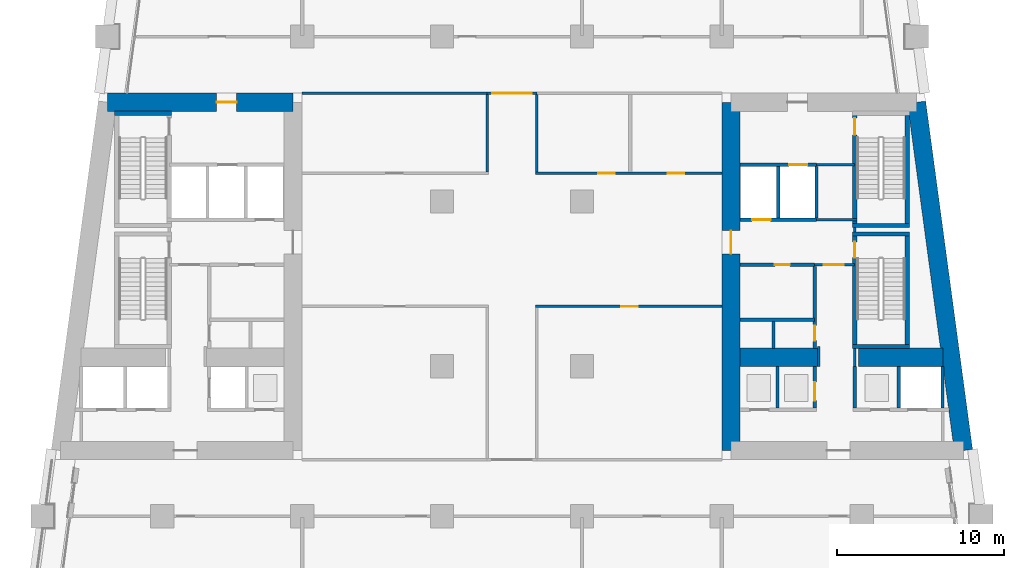
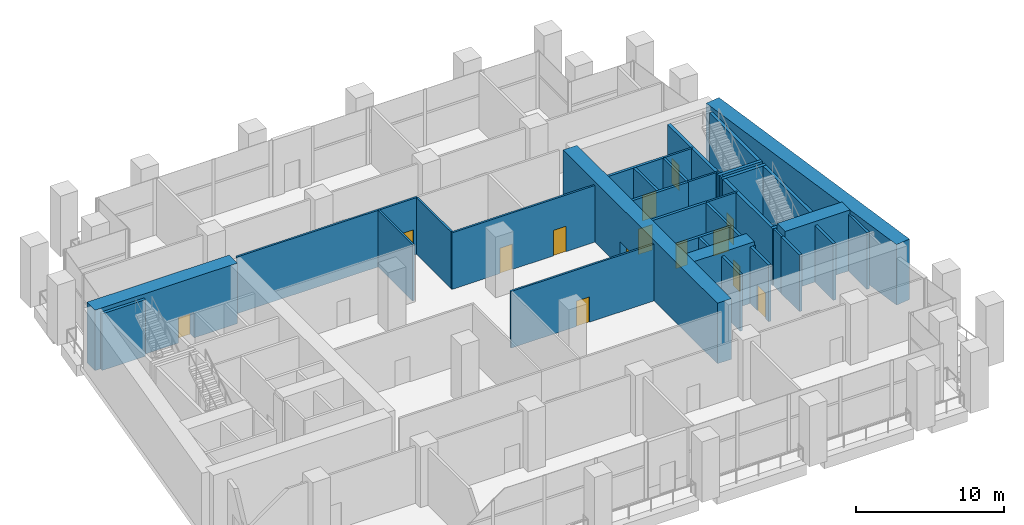
# One storey, part 9 of 15: 38 walls, 14 doors, 14 openings.
"""IFC4 building model written with IfcOpenShell, lengths in metres."""

from ifc_helpers import new_model, si_unit, direction, frame, frame_2d, origin, place, context, subcontext, project, spatial, rectangle, extrude, material, layer, layer_set, type_object, element, fill, save


model = new_model("IFC4")

# Units and contexts
model_context = context("Model", 3, precision=1e-05, world=origin(), true_north=direction((0.0, 1.0)))
body_context = subcontext(model_context, "Body", "Model", "MODEL_VIEW")
ifc_project = project(units=[si_unit("LENGTHUNIT", "METRE"), si_unit("AREAUNIT", "SQUARE_METRE"), si_unit("VOLUMEUNIT", "CUBIC_METRE"), si_unit("PLANEANGLEUNIT", "RADIAN"), si_unit("MASSUNIT", "GRAM", prefix="KILO")], contexts=[model_context])

# Site, building, storey
site_placement = place(None, origin())
site = spatial("IfcSite", under=ifc_project, at=site_placement, CompositionType="ELEMENT")
building_placement = place(site_placement, origin())
building = spatial("IfcBuilding", under=site, at=building_placement, Name="Candeia Pilgrim Tower and Theatre", CompositionType="ELEMENT")
storey_placement = place(building_placement, frame((0.0, 0.0, 86.0)))
storey = spatial("IfcBuildingStorey", under=building, at=storey_placement, Name="L19", CompositionType="ELEMENT", Elevation=86.0)

# Wall, opening, door
ifc_material_1 = material(Name="Concrete C80/95", Category="concrete")
ifc_layer_1 = layer(ifc_material_1, 1.10009765625)
ifc_layer_set_1 = layer_set([ifc_layer_1], Name="Core wall 1100 C80/95")
wall_type_1 = type_object("IfcWallType", Name="Core wall 1100 C80/95", PredefinedType="SHEAR", material=ifc_layer_set_1)
wall_1_placement = place(storey_placement, frame((89.111572265625, 131.85009765625, 0.0), z_axis=(0.0, 0.0, 1.0), x_axis=(1.0, 0.0, 0.0)))
wall_1 = element("IfcWall", 1, at=wall_1_placement, inside=storey, type_object=wall_type_1, Name="Core wall W1", PredefinedType="SHEAR", context=body_context, shape_type="SweptSolid", body=[
    extrude(rectangle(XDim=11.138427734375, YDim=1.10009765625, at=frame_2d((5.5693359375, 0.0))), origin(), (0.0, 0.0, 1.0), 5.0),
])
opening_1_placement = place(wall_1_placement, frame((6.5517578125, 0.0, 0.0)))
opening_1 = element("IfcOpeningElement", 2, at=opening_1_placement, cuts=wall_1, Name="Opening L19-D028", PredefinedType="OPENING", context=body_context, shape_type="SweptSolid", body=[
    extrude(rectangle(XDim=1.199951171875, YDim=2.10009765625, at=frame_2d((0.60009765625, 1.050048828125))), frame((0.0, 0.56005859375, 0.0), z_axis=(0.0, -1.0, 0.0), x_axis=(1.0, 0.0, 0.0)), (0.0, 0.0, 1.0), 1.1201171875),
])
ifc_material_2 = material(Name="Steel fire door set", Category="steel")
door_type_1 = type_object("IfcDoorType", Name="D-1200-FD60", OperationType="NOTDEFINED", PredefinedType="DOOR", material=ifc_material_2)
door_1_placement = place(opening_1_placement, origin())
door_1 = element("IfcDoor", 3, at=door_1_placement, inside=storey, type_object=door_type_1, Name="Door L19-D028", OperationType="SINGLE_SWING_LEFT", OverallHeight=2.10009765625, OverallWidth=1.199951171875, PredefinedType="DOOR", context=body_context, shape_type="SweptSolid", body=[
    extrude(rectangle(XDim=1.199951171875, YDim=2.10009765625, at=frame_2d((0.60009765625, 1.050048828125))), frame((0.0, 0.02490234375, 0.0), z_axis=(0.0, -1.0, 0.0), x_axis=(1.0, 0.0, 0.0)), (0.0, 0.0, 1.0), 0.050048828125),
])
fill(opening_1, door_1)

# Wall
wall_2_placement = place(storey_placement, frame((137.688232421875, 131.85009765625, 0.0), z_axis=(0.0, 0.0, 1.0), x_axis=(0.133411793472, -0.991060691059, 0.0)))
element("IfcWall", 4, at=wall_2_placement, inside=storey, type_object=wall_type_1, Name="Core wall E2", PredefinedType="SHEAR", context=body_context, shape_type="SweptSolid", body=[
    extrude(rectangle(XDim=21.088623046875, YDim=1.10009765625, at=frame_2d((10.54443359375, 0.0))), origin(), (0.0, 0.0, 1.0), 5.0),
])

# Wall, opening, door
wall_3_placement = place(storey_placement, frame((126.550048828125, 110.949951171875, 0.0), z_axis=(0.0, 0.0, 1.0), x_axis=(0.0, 1.0, 0.0)))
wall_3 = element("IfcWall", 5, at=wall_3_placement, inside=storey, type_object=wall_type_1, Name="Core wall E4", PredefinedType="SHEAR", context=body_context, shape_type="SweptSolid", body=[
    extrude(rectangle(XDim=20.900146484375, YDim=1.10009765625, at=frame_2d((10.4501953125, 0.0))), origin(), (0.0, 0.0, 1.0), 5.0),
])
opening_2_placement = place(wall_3_placement, frame((11.800048828125, 0.0, 0.0)))
opening_2 = element("IfcOpeningElement", 6, at=opening_2_placement, cuts=wall_3, Name="Opening L19-D032", PredefinedType="OPENING", context=body_context, shape_type="SweptSolid", body=[
    extrude(rectangle(XDim=1.39990234375, YDim=2.10009765625, at=frame_2d((0.699951171875, 1.050048828125))), frame((0.0, 0.56005859375, 0.0), z_axis=(0.0, -1.0, 0.0), x_axis=(1.0, 0.0, 0.0)), (0.0, 0.0, 1.0), 1.1201171875),
])
door_type_2 = type_object("IfcDoorType", Name="D-1400-FD60", OperationType="NOTDEFINED", PredefinedType="DOOR", material=ifc_material_2)
door_2_placement = place(opening_2_placement, origin())
door_2 = element("IfcDoor", 7, at=door_2_placement, inside=storey, type_object=door_type_2, Name="Door L19-D032", OperationType="SINGLE_SWING_LEFT", OverallHeight=2.10009765625, OverallWidth=1.39990234375, PredefinedType="DOOR", context=body_context, shape_type="SweptSolid", body=[
    extrude(rectangle(XDim=1.39990234375, YDim=2.10009765625, at=frame_2d((0.699951171875, 1.050048828125))), frame((0.0, 0.02490234375, 0.0), z_axis=(0.0, -1.0, 0.0), x_axis=(1.0, 0.0, 0.0)), (0.0, 0.0, 1.0), 0.050048828125),
])
fill(opening_2, door_2)

# Walls
wall_4_placement = place(storey_placement, frame((127.10009765625, 116.550048828125, 0.0), z_axis=(0.0, 0.0, 1.0), x_axis=(1.0, 0.0, 0.0)))
element("IfcWall", 8, at=wall_4_placement, inside=storey, type_object=wall_type_1, Name="Core wall E5", PredefinedType="SHEAR", context=body_context, shape_type="SweptSolid", body=[
    extrude(rectangle(XDim=4.699951171875, YDim=1.10009765625, at=frame_2d((2.35009765625, 0.0))), origin(), (0.0, 0.0, 1.0), 5.0),
])
wall_5_placement = place(storey_placement, frame((134.199951171875, 116.550048828125, 0.0), z_axis=(0.0, 0.0, 1.0), x_axis=(1.0, 0.0, 0.0)))
element("IfcWall", 9, at=wall_5_placement, inside=storey, type_object=wall_type_1, Name="Core wall E6", PredefinedType="SHEAR", context=body_context, shape_type="SweptSolid", body=[
    extrude(rectangle(XDim=5.076904296875, YDim=1.10009765625, at=frame_2d((2.53857421875, 0.0))), origin(), (0.0, 0.0, 1.0), 5.0),
])

# Wall, opening, door
ifc_material_3 = material(Name="Gypsum board partition on steel studs", Category="steel")
ifc_layer_2 = layer(ifc_material_3, 0.14990234375)
ifc_layer_set_2 = layer_set([ifc_layer_2], Name="PW-150 lobby wall")
wall_type_2 = type_object("IfcWallType", Name="PW-150 lobby wall", PredefinedType="PARTITIONING", material=ifc_layer_set_2)
wall_6_placement = place(storey_placement, frame((114.824951171875, 119.60009765625, 0.0), z_axis=(0.0, 0.0, 1.0), x_axis=(1.0, 0.0, 0.0)))
wall_6 = element("IfcWall", 10, at=wall_6_placement, inside=storey, type_object=wall_type_2, Name="Lobby wall L19-014", PredefinedType="PARTITIONING", context=body_context, shape_type="SweptSolid", body=[
    extrude(rectangle(XDim=11.175048828125, YDim=0.14990234375, at=frame_2d((5.58740234375, 0.0))), origin(), (0.0, 0.0, 1.0), 4.679931640625),
])
opening_3_placement = place(wall_6_placement, frame((5.125, 0.0, 0.0)))
opening_3 = element("IfcOpeningElement", 11, at=opening_3_placement, cuts=wall_6, Name="Opening L19-D004", PredefinedType="OPENING", context=body_context, shape_type="SweptSolid", body=[
    extrude(rectangle(XDim=1.0, YDim=2.10009765625, at=frame_2d((0.5, 1.050048828125))), frame((0.0, 0.0849609375, 0.0), z_axis=(0.0, -1.0, 0.0), x_axis=(1.0, 0.0, 0.0)), (0.0, 0.0, 1.0), 0.169921875),
])
door_type_3 = type_object("IfcDoorType", Name="D-1000-FD30S", OperationType="NOTDEFINED", PredefinedType="DOOR", material=ifc_material_2)
door_3_placement = place(opening_3_placement, origin())
door_3 = element("IfcDoor", 12, at=door_3_placement, inside=storey, type_object=door_type_3, Name="Door L19-D004", OperationType="SINGLE_SWING_LEFT", OverallHeight=2.10009765625, OverallWidth=1.0, PredefinedType="DOOR", context=body_context, shape_type="SweptSolid", body=[
    extrude(rectangle(XDim=1.0, YDim=2.10009765625, at=frame_2d((0.5, 1.050048828125))), frame((0.0, 0.02490234375, 0.0), z_axis=(0.0, -1.0, 0.0), x_axis=(1.0, 0.0, 0.0)), (0.0, 0.0, 1.0), 0.050048828125),
])
fill(opening_3, door_3)

wall_7_placement = place(storey_placement, frame((131.572998046875, 122.10009765625, 0.0), z_axis=(0.0, 0.0, 1.0), x_axis=(1.0, 0.0, 0.0)))
wall_7 = element("IfcWall", 13, at=wall_7_placement, inside=storey, type_object=wall_type_2, Name="Lobby wall L19-018", PredefinedType="PARTITIONING", context=body_context, shape_type="SweptSolid", body=[
    extrude(rectangle(XDim=2.39990234375, YDim=0.14990234375, at=frame_2d((1.199951171875, 0.0))), origin(), (0.0, 0.0, 1.0), 4.679931640625),
])
opening_4_placement = place(wall_7_placement, frame((0.550048828125, 0.0, 0.0)))
opening_4 = element("IfcOpeningElement", 14, at=opening_4_placement, cuts=wall_7, Name="Opening L19-D022", PredefinedType="OPENING", context=body_context, shape_type="SweptSolid", body=[
    extrude(rectangle(XDim=1.199951171875, YDim=2.10009765625, at=frame_2d((0.60009765625, 1.050048828125))), frame((0.0, 0.0849609375, 0.0), z_axis=(0.0, -1.0, 0.0), x_axis=(1.0, 0.0, 0.0)), (0.0, 0.0, 1.0), 0.169921875),
])
door_4_placement = place(opening_4_placement, origin())
door_4 = element("IfcDoor", 15, at=door_4_placement, inside=storey, type_object=door_type_1, Name="Door L19-D022", OperationType="SINGLE_SWING_LEFT", OverallHeight=2.10009765625, OverallWidth=1.199951171875, PredefinedType="DOOR", context=body_context, shape_type="SweptSolid", body=[
    extrude(rectangle(XDim=1.199951171875, YDim=2.10009765625, at=frame_2d((0.60009765625, 1.050048828125))), frame((0.0, 0.02490234375, 0.0), z_axis=(0.0, -1.0, 0.0), x_axis=(1.0, 0.0, 0.0)), (0.0, 0.0, 1.0), 0.050048828125),
])
fill(opening_4, door_4)

# Wall
wall_8_placement = place(storey_placement, frame((131.681884765625, 124.800048828125, 0.0), z_axis=(0.0, 0.0, 1.0), x_axis=(1.0, 0.0, 0.0)))
element("IfcWall", 16, at=wall_8_placement, inside=storey, type_object=wall_type_2, Name="Lobby wall L19-025", PredefinedType="PARTITIONING", context=body_context, shape_type="SweptSolid", body=[
    extrude(rectangle(XDim=2.416015625, YDim=0.14990234375, at=frame_2d((1.2080078125, 0.0))), origin(), (0.0, 0.0, 1.0), 4.679931640625),
])

# Wall, openings, doors
wall_9_placement = place(storey_placement, frame((114.824951171875, 127.60009765625, 0.0), z_axis=(0.0, 0.0, 1.0), x_axis=(1.0, 0.0, 0.0)))
wall_9 = element("IfcWall", 17, at=wall_9_placement, inside=storey, type_object=wall_type_2, Name="Lobby wall L19-027", PredefinedType="PARTITIONING", context=body_context, shape_type="SweptSolid", body=[
    extrude(rectangle(XDim=11.175048828125, YDim=0.14990234375, at=frame_2d((5.58740234375, 0.0))), origin(), (0.0, 0.0, 1.0), 4.679931640625),
])
opening_5_placement = place(wall_9_placement, frame((3.739990234375, 0.0, 0.0)))
opening_5 = element("IfcOpeningElement", 18, at=opening_5_placement, cuts=wall_9, Name="Opening L19-D006", PredefinedType="OPENING", context=body_context, shape_type="SweptSolid", body=[
    extrude(rectangle(XDim=1.0, YDim=2.10009765625, at=frame_2d((0.5, 1.050048828125))), frame((0.0, 0.0849609375, 0.0), z_axis=(0.0, -1.0, 0.0), x_axis=(1.0, 0.0, 0.0)), (0.0, 0.0, 1.0), 0.169921875),
])
opening_6_placement = place(wall_9_placement, frame((7.925048828125, 0.0, 0.0)))
opening_6 = element("IfcOpeningElement", 19, at=opening_6_placement, cuts=wall_9, Name="Opening L19-D007", PredefinedType="OPENING", context=body_context, shape_type="SweptSolid", body=[
    extrude(rectangle(XDim=1.0, YDim=2.10009765625, at=frame_2d((0.5, 1.050048828125))), frame((0.0, 0.0849609375, 0.0), z_axis=(0.0, -1.0, 0.0), x_axis=(1.0, 0.0, 0.0)), (0.0, 0.0, 1.0), 0.169921875),
])
door_5_placement = place(opening_5_placement, origin())
door_5 = element("IfcDoor", 20, at=door_5_placement, inside=storey, type_object=door_type_3, Name="Door L19-D006", OperationType="SINGLE_SWING_LEFT", OverallHeight=2.10009765625, OverallWidth=1.0, PredefinedType="DOOR", context=body_context, shape_type="SweptSolid", body=[
    extrude(rectangle(XDim=1.0, YDim=2.10009765625, at=frame_2d((0.5, 1.050048828125))), frame((0.0, 0.02490234375, 0.0), z_axis=(0.0, -1.0, 0.0), x_axis=(1.0, 0.0, 0.0)), (0.0, 0.0, 1.0), 0.050048828125),
])
fill(opening_5, door_5)
door_6_placement = place(opening_6_placement, origin())
door_6 = element("IfcDoor", 21, at=door_6_placement, inside=storey, type_object=door_type_3, Name="Door L19-D007", OperationType="SINGLE_SWING_RIGHT", OverallHeight=2.10009765625, OverallWidth=1.0, PredefinedType="DOOR", context=body_context, shape_type="SweptSolid", body=[
    extrude(rectangle(XDim=1.0, YDim=2.10009765625, at=frame_2d((0.5, 1.050048828125))), frame((0.0, 0.02490234375, 0.0), z_axis=(0.0, -1.0, 0.0), x_axis=(1.0, 0.0, 0.0)), (0.0, 0.0, 1.0), 0.050048828125),
])
fill(opening_6, door_6)

# Wall
wall_10_placement = place(storey_placement, frame((131.681884765625, 128.10009765625, 0.0), z_axis=(0.0, 0.0, 1.0), x_axis=(1.0, 0.0, 0.0)))
element("IfcWall", 22, at=wall_10_placement, inside=storey, type_object=wall_type_2, Name="Lobby wall L19-030", PredefinedType="PARTITIONING", context=body_context, shape_type="SweptSolid", body=[
    extrude(rectangle(XDim=2.291015625, YDim=0.14990234375, at=frame_2d((1.1455078125, 0.0))), origin(), (0.0, 0.0, 1.0), 4.679931640625),
])

# Wall, opening, door
wall_11_placement = place(storey_placement, frame((111.89990234375, 132.39990234375, 0.0), z_axis=(0.0, 0.0, 1.0), x_axis=(1.0, 0.0, 0.0)))
wall_11 = element("IfcWall", 23, at=wall_11_placement, inside=storey, type_object=wall_type_2, Name="Lobby wall L19-033", PredefinedType="PARTITIONING", context=body_context, shape_type="SweptSolid", body=[
    extrude(rectangle(XDim=3.0, YDim=0.14990234375, at=frame_2d((1.5, 0.0))), origin(), (0.0, 0.0, 1.0), 4.679931640625),
])
opening_7_placement = place(wall_11_placement, frame((0.300048828125, 0.0, 0.0)))
opening_7 = element("IfcOpeningElement", 24, at=opening_7_placement, cuts=wall_11, Name="Opening L19-D002", PredefinedType="OPENING", context=body_context, shape_type="SweptSolid", body=[
    extrude(rectangle(XDim=2.39990234375, YDim=2.10009765625, at=frame_2d((1.199951171875, 1.050048828125))), frame((0.0, 0.0849609375, 0.0), z_axis=(0.0, -1.0, 0.0), x_axis=(1.0, 0.0, 0.0)), (0.0, 0.0, 1.0), 0.169921875),
])
door_type_4 = type_object("IfcDoorType", Name="D-2400-FD30S", OperationType="NOTDEFINED", PredefinedType="DOOR", material=ifc_material_2)
door_7_placement = place(opening_7_placement, origin())
door_7 = element("IfcDoor", 25, at=door_7_placement, inside=storey, type_object=door_type_4, Name="Door L19-D002", OperationType="SINGLE_SWING_LEFT", OverallHeight=2.10009765625, OverallWidth=2.39990234375, PredefinedType="DOOR", context=body_context, shape_type="SweptSolid", body=[
    extrude(rectangle(XDim=2.39990234375, YDim=2.10009765625, at=frame_2d((1.199951171875, 1.050048828125))), frame((0.0, 0.02490234375, 0.0), z_axis=(0.0, -1.0, 0.0), x_axis=(1.0, 0.0, 0.0)), (0.0, 0.0, 1.0), 0.050048828125),
])
fill(opening_7, door_7)

# Walls
for number, where, z_axis, x_axis, name in (
    (26, (111.89990234375, 127.675048828125, 0.0), (0.0, 0.0, 1.0), (0.0, 1.0, 0.0), "Lobby wall L19-057"),
    (27, (114.89990234375, 127.675048828125, 0.0), (0.0, 0.0, 1.0), (0.0, 1.0, 0.0), "Lobby wall L19-059"),
):
    element("IfcWall", number, at=place(storey_placement, frame(where, z_axis=z_axis, x_axis=x_axis)), inside=storey, type_object=wall_type_2, Name=name, PredefinedType="PARTITIONING", context=body_context, shape_type="SweptSolid", body=[
        extrude(rectangle(XDim=4.64990234375, YDim=0.14990234375, at=frame_2d((2.324951171875, 0.0))), origin(), (0.0, 0.0, 1.0), 4.679931640625),
    ])
wall_12_placement = place(storey_placement, frame((131.800048828125, 116.0, 0.0), z_axis=(0.0, 0.0, 1.0), x_axis=(0.0, 1.0, 0.0)))
element("IfcWall", 28, at=wall_12_placement, inside=storey, type_object=wall_type_2, Name="Lobby wall L19-071", PredefinedType="PARTITIONING", context=body_context, shape_type="SweptSolid", body=[
    extrude(rectangle(XDim=1.199951171875, YDim=0.14990234375, at=frame_2d((0.60009765625, 0.0))), origin(), (0.0, 0.0, 1.0), 4.679931640625),
])
wall_13_placement = place(storey_placement, frame((133.972900390625, 116.0, 0.0), z_axis=(0.0, 0.0, 1.0), x_axis=(0.0, 1.0, 0.0)))
element("IfcWall", 29, at=wall_13_placement, inside=storey, type_object=wall_type_2, Name="Lobby wall L19-073", PredefinedType="PARTITIONING", context=body_context, shape_type="SweptSolid", body=[
    extrude(rectangle(XDim=1.070068359375, YDim=0.14990234375, at=frame_2d((0.53515625, 0.0))), origin(), (0.0, 0.0, 1.0), 4.679931640625),
])
wall_14_placement = place(storey_placement, frame((133.972900390625, 124.074951171875, 0.0), z_axis=(0.0, 0.0, 1.0), x_axis=(0.0, 1.0, 0.0)))
element("IfcWall", 30, at=wall_14_placement, inside=storey, type_object=wall_type_2, Name="Lobby wall L19-074", PredefinedType="PARTITIONING", context=body_context, shape_type="SweptSolid", body=[
    extrude(rectangle(XDim=0.25, YDim=0.14990234375, at=frame_2d((0.125, 0.0))), origin(), (0.0, 0.0, 1.0), 4.679931640625),
])
ifc_layer_3 = layer(ifc_material_3, 0.14990234375)
ifc_layer_set_3 = layer_set([ifc_layer_3], Name="PW-150 unit wall")
wall_type_3 = type_object("IfcWallType", Name="PW-150 unit wall", PredefinedType="PARTITIONING", material=ifc_layer_set_3)
wall_15_placement = place(storey_placement, frame((100.800048828125, 132.39990234375, 0.0), z_axis=(0.0, 0.0, 1.0), x_axis=(1.0, 0.0, 0.0)))
element("IfcWall", 31, at=wall_15_placement, inside=storey, type_object=wall_type_3, Name="Unit wall L19-034", PredefinedType="PARTITIONING", context=body_context, shape_type="SweptSolid", body=[
    extrude(rectangle(XDim=11.099853515625, YDim=0.14990234375, at=frame_2d((5.5498046875, 0.0))), origin(), (0.0, 0.0, 1.0), 4.679931640625),
])
ifc_material_4 = material(Name="Concrete C40/50", Category="concrete")
ifc_layer_4 = layer(ifc_material_4, 0.199951171875)
ifc_layer_set_4 = layer_set([ifc_layer_4], Name="SW-200 shaft wall")
wall_type_4 = type_object("IfcWallType", Name="SW-200 shaft wall", PredefinedType="PARTITIONING", material=ifc_layer_set_4)
wall_16_placement = place(storey_placement, frame((127.10009765625, 118.800048828125, 0.0), z_axis=(0.0, 0.0, 1.0), x_axis=(1.0, 0.0, 0.0)))
element("IfcWall", 32, at=wall_16_placement, inside=storey, type_object=wall_type_4, Name="Shaft wall L19-012", PredefinedType="PARTITIONING", context=body_context, shape_type="SweptSolid", body=[
    extrude(rectangle(XDim=4.472900390625, YDim=0.199951171875, at=frame_2d((2.236328125, 0.0))), origin(), (0.0, 0.0, 1.0), 4.679931640625),
])

# Wall, opening, door
wall_17_placement = place(storey_placement, frame((127.10009765625, 122.10009765625, 0.0), z_axis=(0.0, 0.0, 1.0), x_axis=(1.0, 0.0, 0.0)))
wall_17 = element("IfcWall", 33, at=wall_17_placement, inside=storey, type_object=wall_type_4, Name="Shaft wall L19-016", PredefinedType="PARTITIONING", context=body_context, shape_type="SweptSolid", body=[
    extrude(rectangle(XDim=4.472900390625, YDim=0.199951171875, at=frame_2d((2.236328125, 0.0))), origin(), (0.0, 0.0, 1.0), 4.679931640625),
])
opening_8_placement = place(wall_17_placement, frame((2.073974609375, 0.0, 0.0)))
opening_8 = element("IfcOpeningElement", 34, at=opening_8_placement, cuts=wall_17, Name="Opening L19-D023", PredefinedType="OPENING", context=body_context, shape_type="SweptSolid", body=[
    extrude(rectangle(XDim=0.89990234375, YDim=2.10009765625, at=frame_2d((0.449951171875, 1.050048828125))), frame((0.0, 0.10986328125, 0.0), z_axis=(0.0, -1.0, 0.0), x_axis=(1.0, 0.0, 0.0)), (0.0, 0.0, 1.0), 0.219970703125),
])
door_type_5 = type_object("IfcDoorType", Name="D-900-FD60", OperationType="NOTDEFINED", PredefinedType="DOOR", material=ifc_material_2)
door_8_placement = place(opening_8_placement, origin())
door_8 = element("IfcDoor", 35, at=door_8_placement, inside=storey, type_object=door_type_5, Name="Door L19-D023", OperationType="SINGLE_SWING_RIGHT", OverallHeight=2.10009765625, OverallWidth=0.89990234375, PredefinedType="DOOR", context=body_context, shape_type="SweptSolid", body=[
    extrude(rectangle(XDim=0.89990234375, YDim=2.10009765625, at=frame_2d((0.449951171875, 1.050048828125))), frame((0.0, 0.02490234375, 0.0), z_axis=(0.0, -1.0, 0.0), x_axis=(1.0, 0.0, 0.0)), (0.0, 0.0, 1.0), 0.050048828125),
])
fill(opening_8, door_8)

wall_18_placement = place(storey_placement, frame((127.10009765625, 124.800048828125, 0.0), z_axis=(0.0, 0.0, 1.0), x_axis=(1.0, 0.0, 0.0)))
wall_18 = element("IfcWall", 36, at=wall_18_placement, inside=storey, type_object=wall_type_4, Name="Shaft wall L19-024", PredefinedType="PARTITIONING", context=body_context, shape_type="SweptSolid", body=[
    extrude(rectangle(XDim=4.581787109375, YDim=0.199951171875, at=frame_2d((2.291015625, 0.0))), origin(), (0.0, 0.0, 1.0), 4.679931640625),
])
opening_9_placement = place(wall_18_placement, frame((0.718017578125, 0.0, 0.0)))
opening_9 = element("IfcOpeningElement", 37, at=opening_9_placement, cuts=wall_18, Name="Opening L19-LD08", PredefinedType="OPENING", context=body_context, shape_type="SweptSolid", body=[
    extrude(rectangle(XDim=1.10009765625, YDim=2.10009765625, at=frame_2d((0.550048828125, 1.050048828125))), frame((0.0, 0.10986328125, 0.0), z_axis=(0.0, -1.0, 0.0), x_axis=(1.0, 0.0, 0.0)), (0.0, 0.0, 1.0), 0.219970703125),
])
ifc_material_5 = material(Name="Glazed aluminium landing door", Category="aluminium")
door_type_6 = type_object("IfcDoorType", Name="LD-1100-EI120", OperationType="SLIDING_TO_LEFT", PredefinedType="DOOR", material=ifc_material_5)
door_9_placement = place(opening_9_placement, origin())
door_9 = element("IfcDoor", 38, at=door_9_placement, inside=storey, type_object=door_type_6, Name="Landing door 08 L19", OperationType="SLIDING_TO_LEFT", OverallHeight=2.10009765625, OverallWidth=1.10009765625, PredefinedType="DOOR", context=body_context, shape_type="SweptSolid", body=[
    extrude(rectangle(XDim=1.10009765625, YDim=2.10009765625, at=frame_2d((0.550048828125, 1.050048828125))), frame((0.0, 0.02490234375, 0.0), z_axis=(0.0, -1.0, 0.0), x_axis=(1.0, 0.0, 0.0)), (0.0, 0.0, 1.0), 0.050048828125),
])
fill(opening_9, door_9)

wall_19_placement = place(storey_placement, frame((127.10009765625, 128.10009765625, 0.0), z_axis=(0.0, 0.0, 1.0), x_axis=(1.0, 0.0, 0.0)))
wall_19 = element("IfcWall", 39, at=wall_19_placement, inside=storey, type_object=wall_type_4, Name="Shaft wall L19-029", PredefinedType="PARTITIONING", context=body_context, shape_type="SweptSolid", body=[
    extrude(rectangle(XDim=4.581787109375, YDim=0.199951171875, at=frame_2d((2.291015625, 0.0))), origin(), (0.0, 0.0, 1.0), 4.679931640625),
])
opening_10_placement = place(wall_19_placement, frame((2.93603515625, 0.0, 0.0)))
opening_10 = element("IfcOpeningElement", 40, at=opening_10_placement, cuts=wall_19, Name="Opening L19-LD07", PredefinedType="OPENING", context=body_context, shape_type="SweptSolid", body=[
    extrude(rectangle(XDim=1.10009765625, YDim=2.10009765625, at=frame_2d((0.550048828125, 1.050048828125))), frame((0.0, 0.10986328125, 0.0), z_axis=(0.0, -1.0, 0.0), x_axis=(1.0, 0.0, 0.0)), (0.0, 0.0, 1.0), 0.219970703125),
])
door_10_placement = place(opening_10_placement, origin())
door_10 = element("IfcDoor", 41, at=door_10_placement, inside=storey, type_object=door_type_6, Name="Landing door 07 L19", OperationType="SLIDING_TO_LEFT", OverallHeight=2.10009765625, OverallWidth=1.10009765625, PredefinedType="DOOR", context=body_context, shape_type="SweptSolid", body=[
    extrude(rectangle(XDim=1.10009765625, YDim=2.10009765625, at=frame_2d((0.550048828125, 1.050048828125))), frame((0.0, 0.02490234375, 0.0), z_axis=(0.0, -1.0, 0.0), x_axis=(1.0, 0.0, 0.0)), (0.0, 0.0, 1.0), 0.050048828125),
])
fill(opening_10, door_10)

# Walls
wall_20_placement = place(storey_placement, frame((129.10009765625, 117.070068359375, 0.0), z_axis=(0.0, 0.0, 1.0), x_axis=(0.0, 1.0, 0.0)))
element("IfcWall", 42, at=wall_20_placement, inside=storey, type_object=wall_type_4, Name="Shaft wall L19-065", PredefinedType="PARTITIONING", context=body_context, shape_type="SweptSolid", body=[
    extrude(rectangle(XDim=1.6298828125, YDim=0.199951171875, at=frame_2d((0.81494140625, 0.0))), origin(), (0.0, 0.0, 1.0), 4.679931640625),
])
wall_21_placement = place(storey_placement, frame((129.33642578125, 113.5, 0.0), z_axis=(0.0, 0.0, 1.0), x_axis=(0.0, 1.0, 0.0)))
element("IfcWall", 43, at=wall_21_placement, inside=storey, type_object=wall_type_4, Name="Shaft wall L19-066", PredefinedType="PARTITIONING", context=body_context, shape_type="SweptSolid", body=[
    extrude(rectangle(XDim=2.5, YDim=0.199951171875, at=frame_2d((1.25, 0.0))), origin(), (0.0, 0.0, 1.0), 4.679931640625),
])
wall_22_placement = place(storey_placement, frame((129.39111328125, 124.89990234375, 0.0), z_axis=(0.0, 0.0, 1.0), x_axis=(0.0, 1.0, 0.0)))
element("IfcWall", 44, at=wall_22_placement, inside=storey, type_object=wall_type_4, Name="Shaft wall L19-067", PredefinedType="PARTITIONING", context=body_context, shape_type="SweptSolid", body=[
    extrude(rectangle(XDim=3.10009765625, YDim=0.199951171875, at=frame_2d((1.550048828125, 0.0))), origin(), (0.0, 0.0, 1.0), 4.679931640625),
])

# Wall, opening, door
wall_23_placement = place(storey_placement, frame((131.572998046875, 113.5, 0.0), z_axis=(0.0, 0.0, 1.0), x_axis=(0.0, 1.0, 0.0)))
wall_23 = element("IfcWall", 45, at=wall_23_placement, inside=storey, type_object=wall_type_4, Name="Shaft wall L19-068", PredefinedType="PARTITIONING", context=body_context, shape_type="SweptSolid", body=[
    extrude(rectangle(XDim=2.5, YDim=0.199951171875, at=frame_2d((1.25, 0.0))), origin(), (0.0, 0.0, 1.0), 4.679931640625),
])
opening_11_placement = place(wall_23_placement, frame((0.449951171875, 0.0, 0.0)))
opening_11 = element("IfcOpeningElement", 46, at=opening_11_placement, cuts=wall_23, Name="Opening L19-LD11", PredefinedType="OPENING", context=body_context, shape_type="SweptSolid", body=[
    extrude(rectangle(XDim=1.10009765625, YDim=2.10009765625, at=frame_2d((0.550048828125, 1.050048828125))), frame((0.0, 0.10986328125, 0.0), z_axis=(0.0, -1.0, 0.0), x_axis=(1.0, 0.0, 0.0)), (0.0, 0.0, 1.0), 0.219970703125),
])
door_11_placement = place(opening_11_placement, origin())
door_11 = element("IfcDoor", 47, at=door_11_placement, inside=storey, type_object=door_type_6, Name="Landing door 11 L19", OperationType="SLIDING_TO_LEFT", OverallHeight=2.10009765625, OverallWidth=1.10009765625, PredefinedType="DOOR", context=body_context, shape_type="SweptSolid", body=[
    extrude(rectangle(XDim=1.10009765625, YDim=2.10009765625, at=frame_2d((0.550048828125, 1.050048828125))), frame((0.0, 0.02490234375, 0.0), z_axis=(0.0, -1.0, 0.0), x_axis=(1.0, 0.0, 0.0)), (0.0, 0.0, 1.0), 0.050048828125),
])
fill(opening_11, door_11)

wall_24_placement = place(storey_placement, frame((131.572998046875, 117.070068359375, 0.0), z_axis=(0.0, 0.0, 1.0), x_axis=(0.0, 1.0, 0.0)))
wall_24 = element("IfcWall", 48, at=wall_24_placement, inside=storey, type_object=wall_type_4, Name="Shaft wall L19-069", PredefinedType="PARTITIONING", context=body_context, shape_type="SweptSolid", body=[
    extrude(rectangle(XDim=4.929931640625, YDim=0.199951171875, at=frame_2d((2.46484375, 0.0))), origin(), (0.0, 0.0, 1.0), 4.679931640625),
])
opening_12_placement = place(wall_24_placement, frame((0.47998046875, 0.0, 0.0)))
opening_12 = element("IfcOpeningElement", 49, at=opening_12_placement, cuts=wall_24, Name="Opening L19-D026", PredefinedType="OPENING", context=body_context, shape_type="SweptSolid", body=[
    extrude(rectangle(XDim=0.89990234375, YDim=2.10009765625, at=frame_2d((0.449951171875, 1.050048828125))), frame((0.0, 0.10986328125, 0.0), z_axis=(0.0, -1.0, 0.0), x_axis=(1.0, 0.0, 0.0)), (0.0, 0.0, 1.0), 0.219970703125),
])
door_12_placement = place(opening_12_placement, origin())
door_12 = element("IfcDoor", 50, at=door_12_placement, inside=storey, type_object=door_type_5, Name="Door L19-D026", OperationType="SINGLE_SWING_LEFT", OverallHeight=2.10009765625, OverallWidth=0.89990234375, PredefinedType="DOOR", context=body_context, shape_type="SweptSolid", body=[
    extrude(rectangle(XDim=0.89990234375, YDim=2.10009765625, at=frame_2d((0.449951171875, 1.050048828125))), frame((0.0, 0.02490234375, 0.0), z_axis=(0.0, -1.0, 0.0), x_axis=(1.0, 0.0, 0.0)), (0.0, 0.0, 1.0), 0.050048828125),
])
fill(opening_12, door_12)

# Walls
wall_25_placement = place(storey_placement, frame((131.681884765625, 124.89990234375, 0.0), z_axis=(0.0, 0.0, 1.0), x_axis=(0.0, 1.0, 0.0)))
element("IfcWall", 51, at=wall_25_placement, inside=storey, type_object=wall_type_4, Name="Shaft wall L19-070", PredefinedType="PARTITIONING", context=body_context, shape_type="SweptSolid", body=[
    extrude(rectangle(XDim=3.10009765625, YDim=0.199951171875, at=frame_2d((1.550048828125, 0.0))), origin(), (0.0, 0.0, 1.0), 4.679931640625),
])
for number, where, z_axis, x_axis, name in (
    (52, (133.972900390625, 113.5, 0.0), (0.0, 0.0, 1.0), (0.0, 1.0, 0.0), "Shaft wall L19-072"),
    (53, (136.62158203125, 113.5, 0.0), (0.0, 0.0, 1.0), (0.0, 1.0, 0.0), "Shaft wall L19-078"),
    (54, (139.247802734375, 113.5, 0.0), (0.0, 0.0, 1.0), (0.0, 1.0, 0.0), "Shaft wall L19-081"),
):
    element("IfcWall", number, at=place(storey_placement, frame(where, z_axis=z_axis, x_axis=x_axis)), inside=storey, type_object=wall_type_4, Name=name, PredefinedType="PARTITIONING", context=body_context, shape_type="SweptSolid", body=[
        extrude(rectangle(XDim=2.5, YDim=0.199951171875, at=frame_2d((1.25, 0.0))), origin(), (0.0, 0.0, 1.0), 4.679931640625),
    ])
ifc_layer_5 = layer(ifc_material_4, 0.25)
ifc_layer_set_5 = layer_set([ifc_layer_5], Name="SW-250 stair wall")
wall_type_5 = type_object("IfcWallType", Name="SW-250 stair wall", PredefinedType="PARTITIONING", material=ifc_layer_set_5)
for number, where, z_axis, x_axis, name in (
    (55, (133.847900390625, 117.199951171875, 0.0), (0.0, 0.0, 1.0), (1.0, 0.0, 0.0), "Stair wall L19-010"),
    (56, (133.847900390625, 123.949951171875, 0.0), (0.0, 0.0, 1.0), (1.0, 0.0, 0.0), "Stair wall L19-020"),
    (57, (133.847900390625, 124.449951171875, 0.0), (0.0, 0.0, 1.0), (1.0, 0.0, 0.0), "Stair wall L19-022"),
):
    element("IfcWall", number, at=place(storey_placement, frame(where, z_axis=z_axis, x_axis=x_axis)), inside=storey, type_object=wall_type_5, Name=name, PredefinedType="PARTITIONING", context=body_context, shape_type="SweptSolid", body=[
        extrude(rectangle(XDim=3.400146484375, YDim=0.25, at=frame_2d((1.7001953125, 0.0))), origin(), (0.0, 0.0, 1.0), 4.679931640625),
    ])
wall_26_placement = place(storey_placement, frame((89.552001953125, 131.199951171875, 0.0), z_axis=(0.0, 0.0, 1.0), x_axis=(1.0, 0.0, 0.0)))
element("IfcWall", 58, at=wall_26_placement, inside=storey, type_object=wall_type_5, Name="Stair wall L19-031", PredefinedType="PARTITIONING", context=body_context, shape_type="SweptSolid", body=[
    extrude(rectangle(XDim=3.39990234375, YDim=0.25, at=frame_2d((1.699951171875, 0.0))), origin(), (0.0, 0.0, 1.0), 4.679931640625),
])

# Wall, opening, door
wall_27_placement = place(storey_placement, frame((133.972900390625, 117.070068359375, 0.0), z_axis=(0.0, 0.0, 1.0), x_axis=(0.0, 1.0, 0.0)))
wall_27 = element("IfcWall", 59, at=wall_27_placement, inside=storey, type_object=wall_type_5, Name="Stair wall L19-075", PredefinedType="PARTITIONING", context=body_context, shape_type="SweptSolid", body=[
    extrude(rectangle(XDim=6.7548828125, YDim=0.25, at=frame_2d((3.37744140625, 0.0))), origin(), (0.0, 0.0, 1.0), 4.679931640625),
])
opening_13_placement = place(wall_27_placement, frame((5.455078125, 0.0, 0.0)))
opening_13 = element("IfcOpeningElement", 60, at=opening_13_placement, cuts=wall_27, Name="Opening L19-D024", PredefinedType="OPENING", context=body_context, shape_type="SweptSolid", body=[
    extrude(rectangle(XDim=0.949951171875, YDim=2.10009765625, at=frame_2d((0.47509765625, 1.050048828125))), frame((0.0, 0.135009765625, 0.0), z_axis=(0.0, -1.0, 0.0), x_axis=(1.0, 0.0, 0.0)), (0.0, 0.0, 1.0), 0.27001953125),
])
door_type_7 = type_object("IfcDoorType", Name="D-950-FD60", OperationType="NOTDEFINED", PredefinedType="DOOR", material=ifc_material_2)
door_13_placement = place(opening_13_placement, origin())
door_13 = element("IfcDoor", 61, at=door_13_placement, inside=storey, type_object=door_type_7, Name="Door L19-D024", OperationType="SINGLE_SWING_LEFT", OverallHeight=2.10009765625, OverallWidth=0.949951171875, PredefinedType="DOOR", context=body_context, shape_type="SweptSolid", body=[
    extrude(rectangle(XDim=0.949951171875, YDim=2.10009765625, at=frame_2d((0.47509765625, 1.050048828125))), frame((0.0, 0.02490234375, 0.0), z_axis=(0.0, -1.0, 0.0), x_axis=(1.0, 0.0, 0.0)), (0.0, 0.0, 1.0), 0.050048828125),
])
fill(opening_13, door_13)

wall_28_placement = place(storey_placement, frame((133.972900390625, 124.574951171875, 0.0), z_axis=(0.0, 0.0, 1.0), x_axis=(0.0, 1.0, 0.0)))
wall_28 = element("IfcWall", 62, at=wall_28_placement, inside=storey, type_object=wall_type_5, Name="Stair wall L19-076", PredefinedType="PARTITIONING", context=body_context, shape_type="SweptSolid", body=[
    extrude(rectangle(XDim=6.755126953125, YDim=0.25, at=frame_2d((3.37744140625, 0.0))), origin(), (0.0, 0.0, 1.0), 4.679931640625),
])
opening_14_placement = place(wall_28_placement, frame((5.324951171875, 0.0, 0.0)))
opening_14 = element("IfcOpeningElement", 63, at=opening_14_placement, cuts=wall_28, Name="Opening L19-D025", PredefinedType="OPENING", context=body_context, shape_type="SweptSolid", body=[
    extrude(rectangle(XDim=1.0, YDim=2.10009765625, at=frame_2d((0.5, 1.050048828125))), frame((0.0, 0.135009765625, 0.0), z_axis=(0.0, -1.0, 0.0), x_axis=(1.0, 0.0, 0.0)), (0.0, 0.0, 1.0), 0.27001953125),
])
door_type_8 = type_object("IfcDoorType", Name="D-1000-FD60", OperationType="NOTDEFINED", PredefinedType="DOOR", material=ifc_material_2)
door_14_placement = place(opening_14_placement, origin())
door_14 = element("IfcDoor", 64, at=door_14_placement, inside=storey, type_object=door_type_8, Name="Door L19-D025", OperationType="SINGLE_SWING_RIGHT", OverallHeight=2.10009765625, OverallWidth=1.0, PredefinedType="DOOR", context=body_context, shape_type="SweptSolid", body=[
    extrude(rectangle(XDim=1.0, YDim=2.10009765625, at=frame_2d((0.5, 1.050048828125))), frame((0.0, 0.02490234375, 0.0), z_axis=(0.0, -1.0, 0.0), x_axis=(1.0, 0.0, 0.0)), (0.0, 0.0, 1.0), 0.050048828125),
])
fill(opening_14, door_14)

# Walls
wall_29_placement = place(storey_placement, frame((137.123046875, 117.070068359375, 0.0), z_axis=(0.0, 0.0, 1.0), x_axis=(0.0, 1.0, 0.0)))
element("IfcWall", 65, at=wall_29_placement, inside=storey, type_object=wall_type_5, Name="Stair wall L19-079", PredefinedType="PARTITIONING", context=body_context, shape_type="SweptSolid", body=[
    extrude(rectangle(XDim=6.7548828125, YDim=0.25, at=frame_2d((3.37744140625, 0.0))), origin(), (0.0, 0.0, 1.0), 4.679931640625),
])
wall_30_placement = place(storey_placement, frame((137.123046875, 124.574951171875, 0.0), z_axis=(0.0, 0.0, 1.0), x_axis=(0.0, 1.0, 0.0)))
element("IfcWall", 66, at=wall_30_placement, inside=storey, type_object=wall_type_5, Name="Stair wall L19-080", PredefinedType="PARTITIONING", context=body_context, shape_type="SweptSolid", body=[
    extrude(rectangle(XDim=6.5, YDim=0.25, at=frame_2d((3.25, 0.0))), origin(), (0.0, 0.0, 1.0), 4.679931640625),
])

save(model, "model.ifc")
